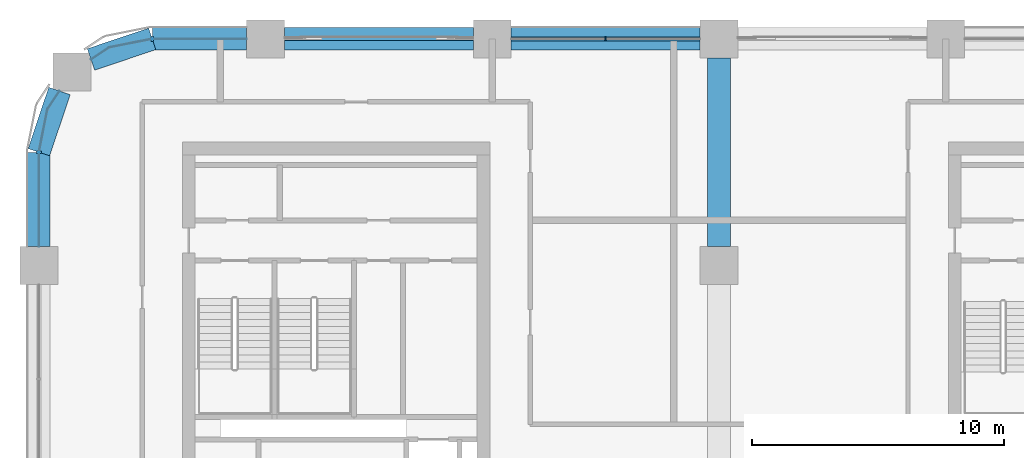
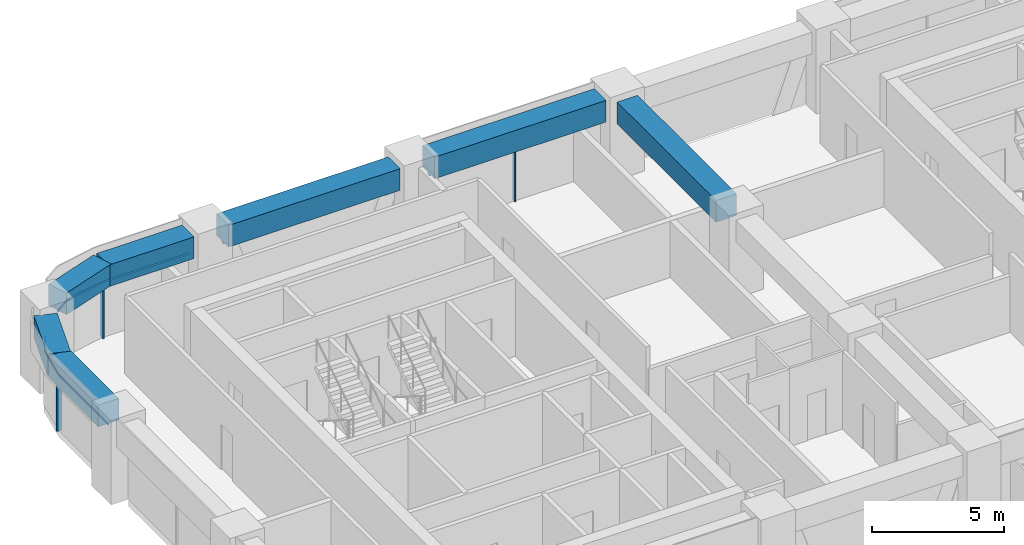
# One storey, part 4 of 14: 7 beams, 7 members, 4 elements without a shape of their own.
"""IFC4 building model written with IfcOpenShell, lengths in metres."""

import ifcopenshell
import ifcopenshell.guid

model = None  # the IFC model being written
_history = None  # IfcOwnerHistory: only IFC2X3 demands one
_inside = {}  # id of a spatial element -> (the spatial element, [elements in it])
_under = {}  # id of a project, library or spatial element -> (it, [spatial elements below it])
_declared = {}  # id of a project -> (the project, [libraries it declares])
_typed = {}  # id of a type object -> (the type object, [elements of that type])
_made_of = {}  # id of a material, layer set ... -> (it, [elements and type objects made of it])


def new_model(schema):
    """Start an empty IFC model of exactly this schema.

    Asked for "IFC4X3", IfcOpenShell would pick the latest addendum, in which some entities
    have other attributes; the version numbers below select the first issue.
    IFC2X3 requires an IfcOwnerHistory on every rooted entity: one is made here for all.
    """
    global model, _history
    if schema == "IFC4X3":
        model = ifcopenshell.file(schema_version=(4, 3, 0, 0))
    else:
        model = ifcopenshell.file(schema=schema)
    _inside.clear()
    _under.clear()
    _declared.clear()
    _typed.clear()
    _made_of.clear()
    _history = None
    if model.schema == "IFC2X3":
        org = make("IfcOrganization", Name="unknown")
        user = make(
            "IfcPersonAndOrganization",
            ThePerson=make("IfcPerson", FamilyName="unknown"),
            TheOrganization=org,
        )
        app = make(
            "IfcApplication",
            ApplicationDeveloper=org,
            Version="unknown",
            ApplicationFullName="unknown",
            ApplicationIdentifier="unknown",
        )
        _history = make(
            "IfcOwnerHistory",
            OwningUser=user,
            OwningApplication=app,
            ChangeAction="ADDED",
            CreationDate=0,
        )
    return model


def make(cls, **values):
    """One entity of the class cls with the attributes given. An attribute that is None is left unset."""
    return model.create_entity(
        cls, **{name: value for name, value in values.items() if value is not None}
    )


def rooted(cls, **values):
    """An entity with a GlobalId (a new one), such as an element, a storey or a relation."""
    return make(cls, GlobalId=ifcopenshell.guid.new(), OwnerHistory=_history, **values)


def si_unit(unit_type, name, prefix=None):
    """IfcSIUnit, for example si_unit("LENGTHUNIT", "METRE", prefix="MILLI")."""
    return make("IfcSIUnit", UnitType=unit_type, Prefix=prefix, Name=name)


def assignment(units):
    """IfcUnitAssignment: the units of a project."""
    return None if units is None else make("IfcUnitAssignment", Units=units)


def point(xyz):
    """IfcCartesianPoint."""
    return None if xyz is None else make("IfcCartesianPoint", Coordinates=xyz)


def direction(xyz):
    """IfcDirection."""
    return None if xyz is None else make("IfcDirection", DirectionRatios=xyz)


def frame(location, z_axis=None, x_axis=None):
    """IfcAxis2Placement3D, a coordinate frame: its origin and axes. An axis left out is left unset."""
    return make(
        "IfcAxis2Placement3D",
        Location=point(location),
        Axis=direction(z_axis),
        RefDirection=direction(x_axis),
    )


def frame_2d(location, x_axis=None):
    """IfcAxis2Placement2D, a coordinate frame in the plane: its origin and x axis."""
    return make(
        "IfcAxis2Placement2D", Location=point(location), RefDirection=direction(x_axis)
    )


def origin():
    """The frame at (0, 0, 0) with its axes left unset."""
    return frame((0.0, 0.0, 0.0))


def origin_2d():
    """The frame at (0, 0) in the plane with its x axis left unset."""
    return frame_2d((0.0, 0.0))


def place(relative_to, where):
    """IfcLocalPlacement: puts the frame where relative to a parent placement (None: the world)."""
    return make(
        "IfcLocalPlacement", PlacementRelTo=relative_to, RelativePlacement=where
    )


def context(
    kind, dimensions, precision=None, world=None, true_north=None, identifier=None
):
    """IfcGeometricRepresentationContext, for example the 3D "Model" context."""
    return make(
        "IfcGeometricRepresentationContext",
        ContextIdentifier=identifier,
        ContextType=kind,
        CoordinateSpaceDimension=dimensions,
        Precision=precision,
        WorldCoordinateSystem=world,
        TrueNorth=true_north,
    )


def subcontext(parent, identifier, kind, view, scale=None):
    """IfcGeometricRepresentationSubContext, for example "Body" below "Model"."""
    return make(
        "IfcGeometricRepresentationSubContext",
        ContextIdentifier=identifier,
        ContextType=kind,
        ParentContext=parent,
        TargetScale=scale,
        TargetView=view,
    )


def project(units=None, contexts=None):
    """IfcProject with its units and contexts."""
    return rooted(
        "IfcProject",
        Name="project",
        RepresentationContexts=contexts,
        UnitsInContext=assignment(units),
    )


def spatial(cls, under=None, at=None, **own):
    """A site, building, storey or space (cls), placed at a placement, below another one or the project."""
    s = rooted(cls, ObjectPlacement=at, **own)
    if under is not None:
        _under.setdefault(under.id(), (under, []))[1].append(s)
    return s


def polyline(points):
    """IfcPolyline through the points."""
    return make("IfcPolyline", Points=[point(p) for p in points])


def profile(cls, at=None, kind="AREA", **sizes):
    """A parametric profile (cls). Its sizes go by their IFC names, for example OverallWidth=200.0."""
    return make(cls, ProfileType=kind, Position=at, **sizes)


def rectangle(**sizes):
    """IfcRectangleProfileDef."""
    return profile("IfcRectangleProfileDef", **sizes)


def outline(outer, holes=None, kind="AREA"):
    """IfcArbitraryClosedProfileDef: a profile drawn as a closed curve; with holes, ...WithVoids."""
    if holes is None:
        return make("IfcArbitraryClosedProfileDef", ProfileType=kind, OuterCurve=outer)
    return make(
        "IfcArbitraryProfileDefWithVoids",
        ProfileType=kind,
        OuterCurve=outer,
        InnerCurves=holes,
    )


def extrude(swept, where, along, depth):
    """IfcExtrudedAreaSolid: the profile swept, set in the frame where, extruded along a direction by depth."""
    return make(
        "IfcExtrudedAreaSolid",
        SweptArea=swept,
        Position=where,
        ExtrudedDirection=direction(along),
        Depth=depth,
    )


def shape(context_of_items, identifier, shape_type, items):
    """IfcShapeRepresentation: the items that make up one representation, for example the "Body"."""
    return make(
        "IfcShapeRepresentation",
        ContextOfItems=context_of_items,
        RepresentationIdentifier=identifier,
        RepresentationType=shape_type,
        Items=items,
    )


def material(Name=None, Category=None):
    """IfcMaterial."""
    return make("IfcMaterial", Name=Name, Category=Category)


def material_profile(
    of_material, cross_section, Name=None, Category=None, Priority=None
):
    """IfcMaterialProfile: a cross section and its material."""
    return make(
        "IfcMaterialProfile",
        Name=Name,
        Material=of_material,
        Profile=cross_section,
        Priority=Priority,
        Category=Category,
    )


def profile_set(profiles, Name=None, composite=None):
    """IfcMaterialProfileSet."""
    return make(
        "IfcMaterialProfileSet",
        Name=Name,
        MaterialProfiles=profiles,
        CompositeProfile=composite,
    )


def made_of(thing, what):
    """Note that an element or type object is made of a material, layer set ...; save() writes the relation."""
    if what is not None:
        _made_of.setdefault(what.id(), (what, []))[1].append(thing)
    return thing


def type_object(cls, material=None, **own):
    """A type object (cls), such as IfcWallType, which elements share."""
    return made_of(rooted(cls, **own), material)


def element(
    cls,
    number,
    at=None,
    inside=None,
    cuts=None,
    type_object=None,
    material=None,
    context=None,
    identifier="Body",
    shape_type=None,
    held_by="IfcProductDefinitionShape",
    body=None,
    shapes=None,
    **own,
):
    """One element of the class cls, such as IfcWall. Its Tag is "e" and its number.

    at: its placement. inside: the storey or other place that contains it. cuts: it is an
    opening in that element (IfcRelVoidsElement). A single representation is given by context,
    identifier, shape_type and body (its items); several are given by shapes. held_by: the class
    of the entity that holds the representations. save() writes the other relations.
    """
    e = rooted(cls, Tag="e%d" % number, ObjectPlacement=at, **own)
    if body is not None:
        shapes = [shape(context, identifier, shape_type, body)]
    if shapes is not None:
        e.Representation = make(held_by, Representations=shapes)
    if inside is not None:
        _inside.setdefault(inside.id(), (inside, []))[1].append(e)
    if cuts is not None:
        rooted(
            "IfcRelVoidsElement", RelatingBuildingElement=cuts, RelatedOpeningElement=e
        )
    if type_object is not None:
        _typed.setdefault(type_object.id(), (type_object, []))[1].append(e)
    return made_of(e, material)


def aggregate(whole, parts):
    """IfcRelAggregates: a whole, such as a stair, and the parts it consists of."""
    return rooted("IfcRelAggregates", RelatingObject=whole, RelatedObjects=parts)


def save(model, path):
    """Write the relations noted so far, then the file.

    IfcRelAggregates (storeys below a building ...), IfcRelContainedInSpatialStructure (elements
    in a storey), IfcRelDefinesByType, IfcRelAssociatesMaterial and IfcRelDeclares: one each for
    every whole, place, type object, material and project.
    """
    for whole, parts in _under.values():
        aggregate(whole, parts)
    for where, things in _inside.values():
        rooted(
            "IfcRelContainedInSpatialStructure",
            RelatedElements=things,
            RelatingStructure=where,
        )
    for kind, things in _typed.values():
        rooted("IfcRelDefinesByType", RelatedObjects=things, RelatingType=kind)
    for what, things in _made_of.values():
        rooted("IfcRelAssociatesMaterial", RelatedObjects=things, RelatingMaterial=what)
    for by, libraries in _declared.values():
        rooted("IfcRelDeclares", RelatingContext=by, RelatedDefinitions=libraries)
    model.write(path)


model = new_model("IFC4")

# Units and contexts
model_context = context("Model", 3, precision=1e-05, world=origin(), true_north=direction((0.0, 1.0)))
body_context = subcontext(model_context, "Body", "Model", "MODEL_VIEW")
ifc_project = project(units=[si_unit("LENGTHUNIT", "METRE"), si_unit("AREAUNIT", "SQUARE_METRE"), si_unit("VOLUMEUNIT", "CUBIC_METRE"), si_unit("PLANEANGLEUNIT", "RADIAN"), si_unit("MASSUNIT", "GRAM", prefix="KILO")], contexts=[model_context])

# Site, building, storey
site_placement = place(None, origin())
site = spatial("IfcSite", under=ifc_project, at=site_placement, CompositionType="ELEMENT")
building_placement = place(site_placement, origin())
building = spatial("IfcBuilding", under=site, at=building_placement, Name="Tessera Arch", CompositionType="ELEMENT")
storey_placement = place(building_placement, frame((0.0, 0.0, 146.60009765625)))
storey = spatial("IfcBuildingStorey", under=building, at=storey_placement, Name="L34", CompositionType="ELEMENT", Elevation=146.60009765625)

# Curtain wall, members
ifc_material_1 = material(Name="CW1 curtain wall")
curtain_wall_type_1 = type_object("IfcCurtainWallType", Name="CW1 curtain wall", PredefinedType="NOTDEFINED", material=ifc_material_1)
curtain_wall_1_placement = place(storey_placement, origin())
curtain_wall_1 = element("IfcCurtainWall", 1, at=curtain_wall_1_placement, inside=storey, type_object=curtain_wall_type_1, Name="CW1 curtain wall N54.0/3 L34", PredefinedType="NOTDEFINED")
ifc_material_2 = material(Name="Anodised aluminium pale metal", Category="aluminium")
ifc_material_profile_1 = material_profile(ifc_material_2, rectangle(XDim=0.159912109375, YDim=0.06005859375, at=origin_2d()), Name="AL 60x160")
ifc_profile_set_1 = profile_set([ifc_material_profile_1], Name="Anodised aluminium pale metal")
member_type_1 = type_object("IfcMemberType", Name="CW1 mullion", PredefinedType="MULLION", material=ifc_profile_set_1)
member_1_placement = place(storey_placement, frame((22.5, 54.0, 0.0), z_axis=(0.0, 0.0, 1.0), x_axis=(0.0, -1.0, 0.0)))
member_1 = element("IfcMember", 2, at=member_1_placement, type_object=member_type_1, Name="CW1 mullion N54.0/3 1", PredefinedType="MULLION", context=body_context, shape_type="SweptSolid", body=[
    extrude(rectangle(XDim=0.159912109375, YDim=0.06005859375, at=origin_2d()), origin(), (0.0, 0.0, 1.0), 2.5),
])
ifc_material_3 = material(Name="Anodised aluminium pale metal", Category="aluminium")
ifc_material_profile_2 = material_profile(ifc_material_3, rectangle(XDim=0.159912109375, YDim=0.10009765625, at=origin_2d()), Name="AL 160x100")
ifc_profile_set_2 = profile_set([ifc_material_profile_2], Name="Anodised aluminium pale metal")
member_type_2 = type_object("IfcMemberType", Name="CW1 transom", PredefinedType="USERDEFINED", material=ifc_profile_set_2)
member_2_placement = place(storey_placement, frame((26.25, 54.0, 2.5498046875), z_axis=(-1.0, 0.0, 0.0), x_axis=(0.0, -1.0, 0.0)))
member_2 = element("IfcMember", 3, at=member_2_placement, type_object=member_type_2, Name="CW1 transom N54.0/3 1.1", ObjectType="TRANSOM", PredefinedType="USERDEFINED", context=body_context, shape_type="SweptSolid", body=[
    extrude(rectangle(XDim=0.159912109375, YDim=0.10009765625, at=origin_2d()), origin(), (0.0, 0.0, 1.0), 7.5),
])
aggregate(curtain_wall_1, [member_1, member_2])

# Curtain wall, member
ifc_material_4 = material(Name="CW2 curtain wall")
curtain_wall_type_2 = type_object("IfcCurtainWallType", Name="CW2 curtain wall", PredefinedType="NOTDEFINED", material=ifc_material_4)
curtain_wall_2_placement = place(storey_placement, origin())
curtain_wall_2 = element("IfcCurtainWall", 4, at=curtain_wall_2_placement, inside=storey, type_object=curtain_wall_type_2, Name="CW2 curtain wall N54.0/5 L34", PredefinedType="NOTDEFINED")
ifc_material_5 = material(Name="Anodised aluminium pale metal", Category="aluminium")
ifc_material_profile_3 = material_profile(ifc_material_5, rectangle(XDim=0.199951171875, YDim=0.080078125, at=origin_2d()), Name="AL 80x200")
ifc_profile_set_3 = profile_set([ifc_material_profile_3], Name="Anodised aluminium pale metal")
member_type_3 = type_object("IfcMemberType", Name="CW2 mullion", PredefinedType="MULLION", material=ifc_profile_set_3)
member_3_placement = place(storey_placement, frame((4.5, 54.0, 0.0), z_axis=(0.0, 0.0, 1.0), x_axis=(0.0, -1.0, 0.0)))
member_3 = element("IfcMember", 5, at=member_3_placement, type_object=member_type_3, Name="CW2 mullion N54.0/5 1", PredefinedType="MULLION", context=body_context, shape_type="SweptSolid", body=[
    extrude(rectangle(XDim=0.199951171875, YDim=0.080078125, at=origin_2d()), origin(), (0.0, 0.0, 1.0), 2.5),
])

curtain_wall_3_placement = place(storey_placement, origin())
curtain_wall_3 = element("IfcCurtainWall", 6, at=curtain_wall_3_placement, inside=storey, type_object=curtain_wall_type_2, Name="CW2 curtain wall W0.27/0 L34", PredefinedType="NOTDEFINED")
member_4_placement = place(storey_placement, frame((0.0, 49.5, 0.0), z_axis=(0.0, 0.0, 1.0), x_axis=(1.0, 0.0, 0.0)))
member_4 = element("IfcMember", 7, at=member_4_placement, type_object=member_type_3, Name="CW2 mullion W0.27/0 1", PredefinedType="MULLION", context=body_context, shape_type="SweptSolid", body=[
    extrude(rectangle(XDim=0.199951171875, YDim=0.080078125, at=origin_2d()), origin(), (0.0, 0.0, 1.0), 2.5),
])

# Member
ifc_material_6 = material(Name="Anodised aluminium pale metal", Category="aluminium")
ifc_material_profile_4 = material_profile(ifc_material_6, rectangle(XDim=0.199951171875, YDim=0.10009765625, at=origin_2d()), Name="AL 200x100")
ifc_profile_set_4 = profile_set([ifc_material_profile_4], Name="Anodised aluminium pale metal")
member_type_4 = type_object("IfcMemberType", Name="CW2 transom", PredefinedType="USERDEFINED", material=ifc_profile_set_4)
member_5_placement = place(storey_placement, frame((0.0, 0.0, 2.5)))
member_5 = element("IfcMember", 8, at=member_5_placement, type_object=member_type_4, Name="CW2 transom N54.0/5 1", ObjectType="TRANSOM", PredefinedType="USERDEFINED", context=body_context, shape_type="SweptSolid", body=[
    extrude(outline(polyline([(4.5009765625, 53.989990234375), (8.25, 53.989990234375), (8.25, 54.010009765625), (4.4990234375, 54.010009765625), (2.77392578125, 53.6669921875), (2.0625, 53.19140625), (2.073486328125, 53.1748046875), (2.78173828125, 53.648193359375), (4.5009765625, 53.989990234375)])), origin(), (0.0, 0.0, 1.0), 0.099853515625),
])

aggregate(curtain_wall_2, [member_3, member_5])

member_6_placement = place(storey_placement, frame((0.0, 0.0, 2.5)))
member_6 = element("IfcMember", 9, at=member_6_placement, type_object=member_type_4, Name="CW2 transom W0.27/0 1", ObjectType="TRANSOM", PredefinedType="USERDEFINED", context=body_context, shape_type="SweptSolid", body=[
    extrude(outline(polyline([(0.351806640625, 51.21826171875), (0.8251953125, 51.926513671875), (0.80859375, 51.9375), (0.3330078125, 51.22607421875), (-0.010009765625, 49.5009765625), (-0.010009765625, 45.75), (0.010009765625, 45.75), (0.010009765625, 49.4990234375), (0.351806640625, 51.21826171875)])), origin(), (0.0, 0.0, 1.0), 0.099853515625),
])

aggregate(curtain_wall_3, [member_4, member_6])

# Curtain wall, member
ifc_material_7 = material(Name="CW3 curtain wall")
curtain_wall_type_3 = type_object("IfcCurtainWallType", Name="CW3 curtain wall", PredefinedType="NOTDEFINED", material=ifc_material_7)
curtain_wall_4_placement = place(storey_placement, origin())
curtain_wall_4 = element("IfcCurtainWall", 10, at=curtain_wall_4_placement, inside=storey, type_object=curtain_wall_type_3, Name="CW3 curtain wall N54.0/4 L34", PredefinedType="NOTDEFINED")
ifc_material_8 = material(Name="Anodised aluminium pale metal", Category="aluminium")
ifc_material_profile_5 = material_profile(ifc_material_8, rectangle(XDim=0.139892578125, YDim=0.10009765625, at=origin_2d()), Name="AL 140x100")
ifc_profile_set_5 = profile_set([ifc_material_profile_5], Name="Anodised aluminium pale metal")
member_type_5 = type_object("IfcMemberType", Name="CW3 transom", PredefinedType="USERDEFINED", material=ifc_profile_set_5)
member_7_placement = place(storey_placement, frame((17.25, 54.0, 2.5498046875), z_axis=(-1.0, 0.0, 0.0), x_axis=(0.0, -1.0, 0.0)))
member_7 = element("IfcMember", 11, at=member_7_placement, type_object=member_type_5, Name="CW3 transom N54.0/4 1.1", ObjectType="TRANSOM", PredefinedType="USERDEFINED", context=body_context, shape_type="SweptSolid", body=[
    extrude(rectangle(XDim=0.139892578125, YDim=0.10009765625, at=origin_2d()), origin(), (0.0, 0.0, 1.0), 7.5),
])
aggregate(curtain_wall_4, [member_7])

# Beams
ifc_material_9 = material(Name="Concrete C70/85", Category="concrete")
ifc_material_profile_6 = material_profile(ifc_material_9, rectangle(XDim=0.89990234375, YDim=1.0, at=origin_2d()), Name="RC spandrel beam 900 x 1000 Concrete C70/85")
ifc_profile_set_6 = profile_set([ifc_material_profile_6], Name="Concrete C70/85")
beam_type = type_object("IfcBeamType", Name="RC spandrel beam 900 x 1000 Concrete C70/85", PredefinedType="BEAM", material=ifc_profile_set_6)
for number, where, z_axis, x_axis, name in (
    (12, (26.25, 54.0, 3.099853515625), (-1.0, 0.0, 0.0), (0.0, -1.0, 0.0), "Spandrel beam L34 N54.0/3"),
    (13, (17.25, 54.0, 3.099853515625), (-1.0, 0.0, 0.0), (0.0, -1.0, 0.0), "Spandrel beam L34 N54.0/4"),
):
    element("IfcBeam", number, at=place(storey_placement, frame(where, z_axis=z_axis, x_axis=x_axis)), inside=storey, type_object=beam_type, Name=name, PredefinedType="BEAM", context=body_context, shape_type="SweptSolid", body=[
        extrude(rectangle(XDim=0.89990234375, YDim=1.0, at=origin_2d()), origin(), (0.0, 0.0, 1.0), 7.5),
    ])
beam_1_placement = place(storey_placement, frame((8.25, 54.0, 3.099853515625), z_axis=(-1.0, 0.0, 0.0), x_axis=(0.0, -1.0, 0.0)))
element("IfcBeam", 14, at=beam_1_placement, inside=storey, type_object=beam_type, Name="Spandrel beam L34 N54.0/5.1", PredefinedType="BEAM", context=body_context, shape_type="SweptSolid", body=[
    extrude(rectangle(XDim=0.89990234375, YDim=1.0, at=origin_2d()), origin(), (0.0, 0.0, 1.0), 3.75),
])
for number, where, z_axis, x_axis, name in (
    (15, (4.5, 54.0, 3.099853515625), (-0.947947973234, -0.31842525032, 0.0), (0.31842525032, -0.947947973234, 0.0), "Spandrel beam L34 N54.0/5.2"),
    (16, (0.81689453125, 51.931884765625, 3.099853515625), (-0.31842525032, -0.947947973234, 0.0), (0.947947973234, -0.31842525032, 0.0), "Spandrel beam L34 W0.27/0.1"),
):
    element("IfcBeam", number, at=place(storey_placement, frame(where, z_axis=z_axis, x_axis=x_axis)), inside=storey, type_object=beam_type, Name=name, PredefinedType="BEAM", context=body_context, shape_type="SweptSolid", body=[
        extrude(rectangle(XDim=0.89990234375, YDim=1.0, at=origin_2d()), origin(), (0.0, 0.0, 1.0), 2.5654296875),
    ])
beam_2_placement = place(storey_placement, frame((0.0, 49.5, 3.099853515625), z_axis=(0.0, -1.0, 0.0), x_axis=(1.0, 0.0, 0.0)))
element("IfcBeam", 17, at=beam_2_placement, inside=storey, type_object=beam_type, Name="Spandrel beam L34 W0.27/0.2", PredefinedType="BEAM", context=body_context, shape_type="SweptSolid", body=[
    extrude(rectangle(XDim=0.89990234375, YDim=1.0, at=origin_2d()), origin(), (0.0, 0.0, 1.0), 3.75),
])
beam_3_placement = place(storey_placement, frame((27.0, 45.75, 3.099853515625), z_axis=(0.0, 1.0, 0.0), x_axis=(-1.0, 0.0, 0.0)))
element("IfcBeam", 18, at=beam_3_placement, inside=storey, type_object=beam_type, Name="Interface beam L34 I0C4F-C4G", PredefinedType="BEAM", context=body_context, shape_type="SweptSolid", body=[
    extrude(rectangle(XDim=0.89990234375, YDim=1.0, at=origin_2d()), origin(), (0.0, 0.0, 1.0), 7.5),
])

save(model, "model.ifc")
